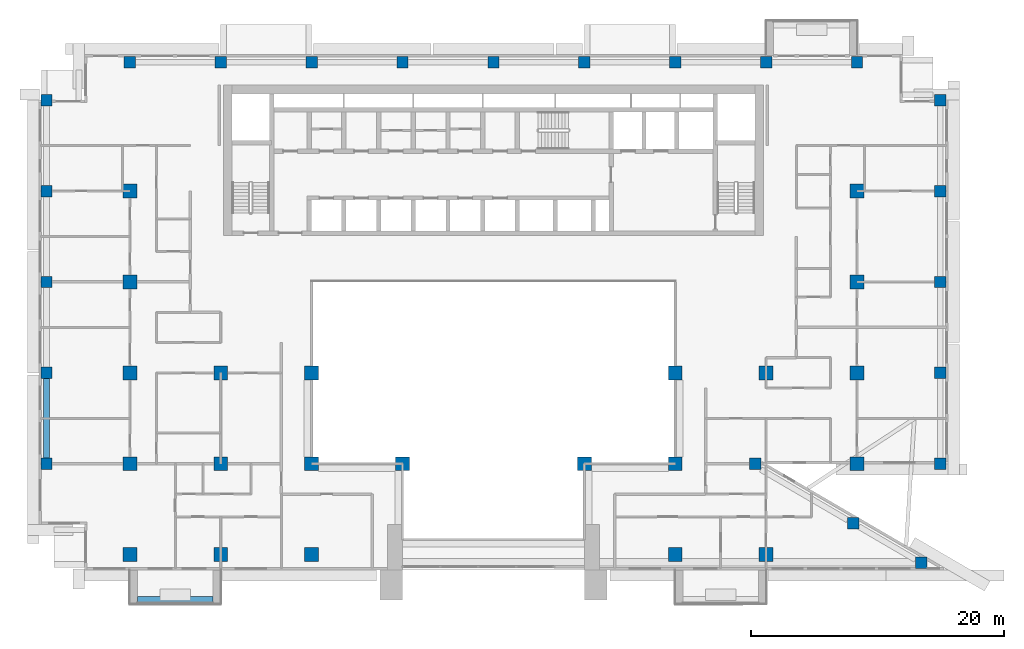
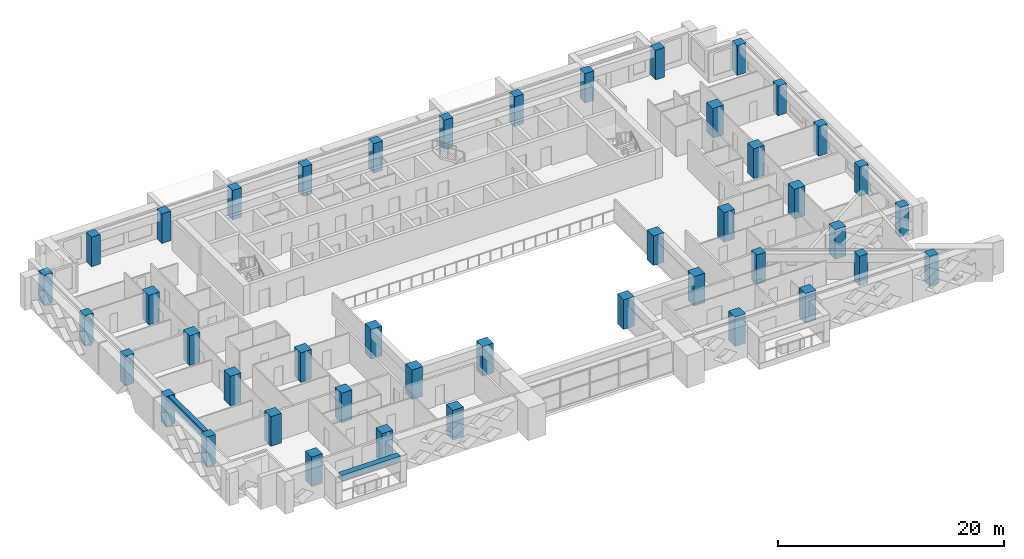
# One storey, part 1 of 19: 44 columns, 2 beams.
"""IFC4 building model written with IfcOpenShell, lengths in metres."""

from ifc_helpers import new_model, si_unit, direction, frame, origin, origin_2d, place, context, subcontext, project, spatial, rectangle, extrude, source, transform, mapped, material, material_profile, profile_set, type_object, element, save


model = new_model("IFC4")

# Units and contexts
model_context = context("Model", 3, precision=1e-05, world=origin(), true_north=direction((0.0, 1.0)))
body_context = subcontext(model_context, "Body", "Model", "MODEL_VIEW")
ifc_project = project(units=[si_unit("LENGTHUNIT", "METRE"), si_unit("AREAUNIT", "SQUARE_METRE"), si_unit("VOLUMEUNIT", "CUBIC_METRE"), si_unit("PLANEANGLEUNIT", "RADIAN"), si_unit("MASSUNIT", "GRAM", prefix="KILO")], contexts=[model_context])

# Site, building, storey
site_placement = place(None, origin())
site = spatial("IfcSite", under=ifc_project, at=site_placement, CompositionType="ELEMENT")
building_placement = place(site_placement, origin())
building = spatial("IfcBuilding", under=site, at=building_placement, Name="Saffron Iwan Residences", CompositionType="ELEMENT")
storey_placement = place(building_placement, frame((0.0, 0.0, 116.5)))
storey = spatial("IfcBuildingStorey", under=building, at=storey_placement, Name="L30", CompositionType="ELEMENT", Elevation=116.5)

# Columns
ifc_material_1 = material(Name="Concrete C50/60", Category="concrete")
ifc_material_profile_1 = material_profile(ifc_material_1, rectangle(XDim=1.10009765625, YDim=1.10009765625, at=origin_2d()), Name="RC 1100x1100")
ifc_profile_set_1 = profile_set([ifc_material_profile_1], Name="Concrete C50/60")
column_type_1 = type_object("IfcColumnType", Name="COL RC 1100x1100 C50/60 3200 HIGH", PredefinedType="COLUMN", material=ifc_profile_set_1)
shared_shape_1 = source(origin(), body_context, "Body", "SweptSolid", [
    extrude(rectangle(XDim=1.10009765625, YDim=1.10009765625, at=origin_2d()), origin(), (0.0, 0.0, 1.0), 3.199951171875),
])
for number, where, z_axis, x_axis, name in (
    (1, (21.60009765625, 40.800048828125, 0.0), (0.0, 0.0, 1.0), (1.0, 0.0, 0.0), "Column C049"),
    (2, (28.800048828125, 40.800048828125, 0.0), (0.0, 0.0, 1.0), (1.0, 0.0, 0.0), "Column C051"),
    (3, (36.0, 40.800048828125, 0.0), (0.0, 0.0, 1.0), (1.0, 0.0, 0.0), "Column C052"),
    (4, (64.800048828125, 40.800048828125, 0.0), (0.0, 0.0, 1.0), (1.0, 0.0, 0.0), "Column C055"),
    (5, (72.0, 40.800048828125, 0.0), (0.0, 0.0, 1.0), (1.0, 0.0, 0.0), "Column C056"),
    (6, (21.60009765625, 48.0, 0.0), (0.0, 0.0, 1.0), (1.0, 0.0, 0.0), "Column C063"),
    (7, (28.800048828125, 48.0, 0.0), (0.0, 0.0, 1.0), (1.0, 0.0, 0.0), "Column C064"),
    (8, (36.0, 48.0, 0.0), (0.0, 0.0, 1.0), (1.0, 0.0, 0.0), "Column C065"),
    (9, (43.199951171875, 48.0, 0.0), (0.0, 0.0, 1.0), (1.0, 0.0, 0.0), "Column C066"),
    (10, (57.60009765625, 48.0, 0.0), (0.0, 0.0, 1.0), (1.0, 0.0, 0.0), "Column C068"),
    (11, (64.800048828125, 48.0, 0.0), (0.0, 0.0, 1.0), (1.0, 0.0, 0.0), "Column C069"),
    (12, (79.199951171875, 48.0, 0.0), (0.0, 0.0, 1.0), (1.0, 0.0, 0.0), "Column C072"),
    (13, (21.60009765625, 55.199951171875, 0.0), (0.0, 0.0, 1.0), (1.0, 0.0, 0.0), "Column C079"),
    (14, (28.800048828125, 55.199951171875, 0.0), (0.0, 0.0, 1.0), (1.0, 0.0, 0.0), "Column C080"),
    (15, (36.0, 55.199951171875, 0.0), (0.0, 0.0, 1.0), (1.0, 0.0, 0.0), "Column C081"),
    (16, (64.800048828125, 55.199951171875, 0.0), (0.0, 0.0, 1.0), (1.0, 0.0, 0.0), "Column C082"),
    (17, (72.0, 55.199951171875, 0.0), (0.0, 0.0, 1.0), (1.0, 0.0, 0.0), "Column C083"),
    (18, (79.199951171875, 55.199951171875, 0.0), (0.0, 0.0, 1.0), (1.0, 0.0, 0.0), "Column C084"),
    (19, (21.60009765625, 62.39990234375, 0.0), (0.0, 0.0, 1.0), (1.0, 0.0, 0.0), "Column C091"),
    (20, (79.199951171875, 62.39990234375, 0.0), (0.0, 0.0, 1.0), (1.0, 0.0, 0.0), "Column C092"),
    (21, (21.60009765625, 69.60009765625, 0.0), (0.0, 0.0, 1.0), (1.0, 0.0, 0.0), "Column C099"),
    (22, (79.199951171875, 69.60009765625, 0.0), (0.0, 0.0, 1.0), (1.0, 0.0, 0.0), "Column C100"),
):
    element("IfcColumn", number, at=place(storey_placement, frame(where, z_axis=z_axis, x_axis=x_axis)), inside=storey, type_object=column_type_1, Name=name, PredefinedType="COLUMN", context=body_context, shape_type="MappedRepresentation", body=[
        mapped(shared_shape_1, transform((0.0, 0.0, 0.0))),
    ])
ifc_material_profile_2 = material_profile(ifc_material_1, rectangle(XDim=0.89990234375, YDim=0.89990234375, at=origin_2d()), Name="RC 900x900")
ifc_profile_set_2 = profile_set([ifc_material_profile_2], Name="Concrete C50/60")
column_type_2 = type_object("IfcColumnType", Name="COL RC 900x900 C50/60 3200 HIGH", PredefinedType="COLUMN", material=ifc_profile_set_2)
shared_shape_2 = source(origin(), body_context, "Body", "SweptSolid", [
    extrude(rectangle(XDim=0.89990234375, YDim=0.89990234375, at=origin_2d()), origin(), (0.0, 0.0, 1.0), 3.199951171875),
])
for number, where, z_axis, x_axis, name in (
    (23, (84.276123046875, 40.17431640625, 0.0), (0.0, 0.0, 1.0), (1.0, 0.0, 0.0), "Column C045"),
    (24, (78.897705078125, 43.28173828125, 0.0), (0.0, 0.0, 1.0), (1.0, 0.0, 0.0), "Column C058"),
    (25, (15.0, 48.0, 0.0), (0.0, 0.0, 1.0), (1.0, 0.0, 0.0), "Column C061"),
    (26, (71.14990234375, 48.0, 0.0), (0.0, 0.0, 1.0), (1.0, 0.0, 0.0), "Column C070"),
    (27, (85.800048828125, 48.0, 0.0), (0.0, 0.0, 1.0), (1.0, 0.0, 0.0), "Column C074"),
    (28, (15.0, 55.199951171875, 0.0), (0.0, 0.0, 1.0), (1.0, 0.0, 0.0), "Column C077"),
    (29, (85.800048828125, 55.199951171875, 0.0), (0.0, 0.0, 1.0), (1.0, 0.0, 0.0), "Column C086"),
    (30, (15.0, 62.39990234375, 0.0), (0.0, 0.0, 1.0), (1.0, 0.0, 0.0), "Column C089"),
    (31, (85.800048828125, 62.39990234375, 0.0), (0.0, 0.0, 1.0), (1.0, 0.0, 0.0), "Column C094"),
    (32, (15.0, 69.60009765625, 0.0), (0.0, 0.0, 1.0), (1.0, 0.0, 0.0), "Column C097"),
    (33, (85.800048828125, 69.60009765625, 0.0), (0.0, 0.0, 1.0), (1.0, 0.0, 0.0), "Column C102"),
    (34, (15.0, 76.800048828125, 0.0), (0.0, 0.0, 1.0), (1.0, 0.0, 0.0), "Column C105"),
    (35, (85.800048828125, 76.800048828125, 0.0), (0.0, 0.0, 1.0), (1.0, 0.0, 0.0), "Column C110"),
    (36, (21.60009765625, 79.800048828125, 0.0), (0.0, 0.0, 1.0), (1.0, 0.0, 0.0), "Column C113"),
    (37, (28.800048828125, 79.800048828125, 0.0), (0.0, 0.0, 1.0), (1.0, 0.0, 0.0), "Column C115"),
    (38, (36.0, 79.800048828125, 0.0), (0.0, 0.0, 1.0), (1.0, 0.0, 0.0), "Column C116"),
    (39, (43.199951171875, 79.800048828125, 0.0), (0.0, 0.0, 1.0), (1.0, 0.0, 0.0), "Column C117"),
    (40, (50.39990234375, 79.800048828125, 0.0), (0.0, 0.0, 1.0), (1.0, 0.0, 0.0), "Column C118"),
    (41, (57.60009765625, 79.800048828125, 0.0), (0.0, 0.0, 1.0), (1.0, 0.0, 0.0), "Column C119"),
    (42, (64.800048828125, 79.800048828125, 0.0), (0.0, 0.0, 1.0), (1.0, 0.0, 0.0), "Column C120"),
    (43, (72.0, 79.800048828125, 0.0), (0.0, 0.0, 1.0), (1.0, 0.0, 0.0), "Column C121"),
    (44, (79.199951171875, 79.800048828125, 0.0), (0.0, 0.0, 1.0), (1.0, 0.0, 0.0), "Column C123"),
):
    element("IfcColumn", number, at=place(storey_placement, frame(where, z_axis=z_axis, x_axis=x_axis)), inside=storey, type_object=column_type_2, Name=name, PredefinedType="COLUMN", context=body_context, shape_type="MappedRepresentation", body=[
        mapped(shared_shape_2, transform((0.0, 0.0, 0.0))),
    ])

# Beams
ifc_material_profile_3 = material_profile(ifc_material_1, rectangle(XDim=0.449951171875, YDim=0.89990234375, at=origin_2d()), Name="RC 450x900")
ifc_profile_set_3 = profile_set([ifc_material_profile_3], Name="Concrete C50/60")
beam_type_1 = type_object("IfcBeamType", Name="SPANDREL BEAM RC 450x900 C50/60 TOP 3200", PredefinedType="SPANDREL", material=ifc_profile_set_3)
shared_shape_3 = source(origin(), body_context, "Body", "SweptSolid", [
    extrude(rectangle(XDim=0.449951171875, YDim=0.89990234375, at=origin_2d()), origin(), (0.0, 0.0, 1.0), 6.300048828125),
])
beam_1_placement = place(storey_placement, frame((15.0, 48.449951171875, 2.75), z_axis=(0.0, 1.0, 0.0), x_axis=(-1.0, 0.0, 0.0)))
element("IfcBeam", 45, at=beam_1_placement, inside=storey, type_object=beam_type_1, Name="Spandrel beam", PredefinedType="SPANDREL", context=body_context, shape_type="MappedRepresentation", body=[
    mapped(shared_shape_3, transform((0.0, 0.0, 0.0))),
])
ifc_material_2 = material(Name="Concrete C50/60 white painted", Category="concrete")
ifc_material_profile_4 = material_profile(ifc_material_2, rectangle(XDim=0.60009765625, YDim=0.60009765625, at=origin_2d()), Name="BALCONY FASCIA BEAM 600 x 600")
ifc_profile_set_4 = profile_set([ifc_material_profile_4], Name="Concrete C50/60 white painted")
beam_type_2 = type_object("IfcBeamType", Name="BALCONY FASCIA BEAM 600 x 600", PredefinedType="BEAM", material=ifc_profile_set_4)
shared_shape_4 = source(origin(), body_context, "Body", "SweptSolid", [
    extrude(rectangle(XDim=0.60009765625, YDim=0.60009765625, at=origin_2d()), origin(), (0.0, 0.0, 1.0), 6.0),
])
beam_2_placement = place(storey_placement, frame((22.199951171875, 37.199951171875, 2.550048828125), z_axis=(1.0, 0.0, 0.0), x_axis=(0.0, 1.0, 0.0)))
element("IfcBeam", 46, at=beam_2_placement, inside=storey, type_object=beam_type_2, Name="Balcony fascia beam L30 11-0", PredefinedType="BEAM", context=body_context, shape_type="MappedRepresentation", body=[
    mapped(shared_shape_4, transform((0.0, 0.0, 0.0))),
])

save(model, "model.ifc")
